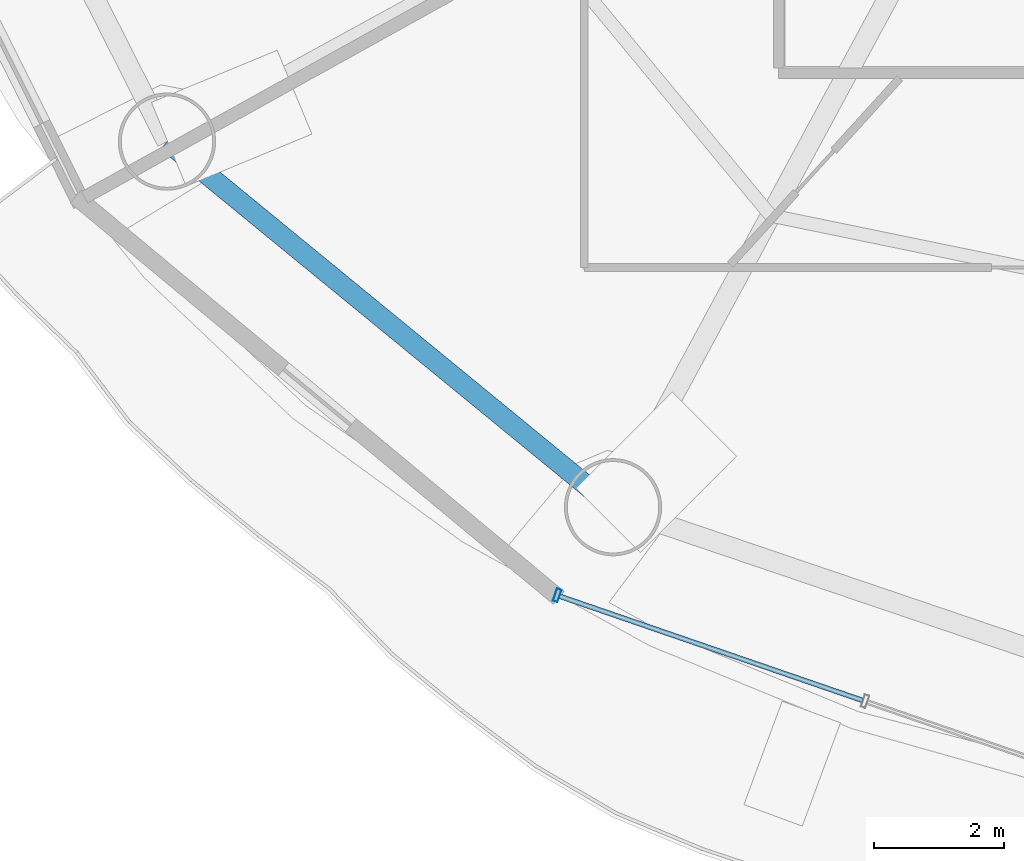
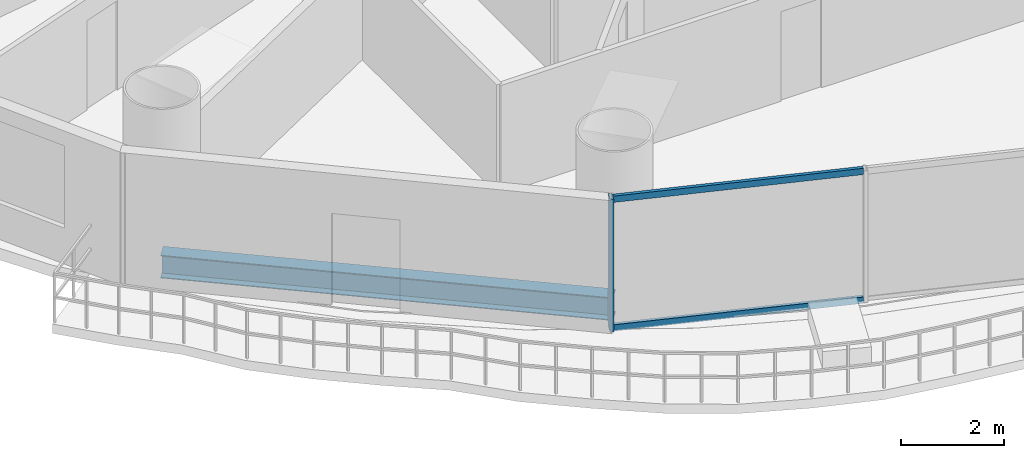
# One storey, part 2 of 29: 3 members, 1 beam, 1 element without a shape of its own.
"""IFC4 building model written with IfcOpenShell, lengths in metres."""

from ifc_helpers import new_model, si_unit, direction, frame, origin, origin_2d, place, context, subcontext, project, spatial, hollow_rectangle, i_section, extrude, source, transform, mapped, material, material_profile, profile_set, type_object, element, aggregate, save


model = new_model("IFC4")

# Units and contexts
model_context = context("Model", 3, precision=1e-05, world=origin(), true_north=direction((-0.2419218956, 0.970295726276)))
body_context = subcontext(model_context, "Body", "Model", "MODEL_VIEW")
ifc_project = project(units=[si_unit("LENGTHUNIT", "METRE"), si_unit("AREAUNIT", "SQUARE_METRE"), si_unit("VOLUMEUNIT", "CUBIC_METRE"), si_unit("PLANEANGLEUNIT", "RADIAN"), si_unit("MASSUNIT", "GRAM", prefix="KILO")], contexts=[model_context])

# Site, building, storey
site_placement = place(None, origin())
site = spatial("IfcSite", under=ifc_project, at=site_placement, CompositionType="ELEMENT")
building_placement = place(site_placement, origin())
building = spatial("IfcBuilding", under=site, at=building_placement, Name="Cobrevalo Terracotta Tower", CompositionType="ELEMENT")
storey_placement = place(building_placement, frame((0.0, 0.0, 126.60009765625)))
storey = spatial("IfcBuildingStorey", under=building, at=storey_placement, Name="L33", CompositionType="ELEMENT", Elevation=126.60009765625)

# Beam
ifc_material_1 = material(Name="Steel S355", Category="steel")
ifc_material_profile_1 = material_profile(ifc_material_1, i_section(OverallWidth=0.31201171875, OverallDepth=0.54296875, WebThickness=0.0126953125, FlangeThickness=0.020263671875, at=origin_2d()), Name="W 530x150")
ifc_profile_set_1 = profile_set([ifc_material_profile_1], Name="Steel S355")
beam_type = type_object("IfcBeamType", Name="Structural Spandrel W 530x150 (Steel S355)", PredefinedType="SPANDREL", material=ifc_profile_set_1)
beam_placement = place(storey_placement, frame((17.2548828125, 15.4384765625, -0.546630859375), z_axis=(0.773400923541, -0.633917196064, 0.0), x_axis=(0.633917196064, 0.773400923541, 0.0)))
element("IfcBeam", 1, at=beam_placement, inside=storey, type_object=beam_type, Name="L33 perimeter ring spandrel 10", PredefinedType="SPANDREL", context=body_context, shape_type="SweptSolid", body=[
    extrude(i_section(OverallWidth=0.31201171875, OverallDepth=0.54296875, WebThickness=0.0126953125, FlangeThickness=0.020263671875, at=origin_2d()), origin(), (0.0, 0.0, 1.0), 8.900390625),
])

# Curtain wall, members
ifc_material_2 = material(Name="Anodized aluminium", Category="aluminium")
curtain_wall_type = type_object("IfcCurtainWallType", Name="Lower-tower unitised acoustic low-E curtain wall CW-U1", PredefinedType="NOTDEFINED", material=ifc_material_2)
curtain_wall_placement = place(storey_placement, origin())
curtain_wall = element("IfcCurtainWall", 2, at=curtain_wall_placement, inside=storey, type_object=curtain_wall_type, Name="L33 curtain wall CW-L33-S11", PredefinedType="NOTDEFINED")
ifc_material_profile_2 = material_profile(ifc_material_2, hollow_rectangle(XDim=0.074951171875, YDim=0.199951171875, WallThickness=0.0048828125, at=origin_2d()), Name="CWM 75x200")
ifc_profile_set_2 = profile_set([ifc_material_profile_2], Name="Anodized aluminium")
member_type_1 = type_object("IfcMemberType", Name="Lower/mid tower unitised mullion 75x200", PredefinedType="MULLION", material=ifc_profile_set_2)
shared_shape_1 = source(origin(), body_context, "Body", "SweptSolid", [
    extrude(hollow_rectangle(XDim=0.074951171875, YDim=0.199951171875, WallThickness=0.0048828125, at=origin_2d()), origin(), (0.0, 0.0, 1.0), 3.14990234375),
])
member_1_placement = place(storey_placement, frame((23.2763671875, 8.4365234375, 0.0), z_axis=(0.0, 0.0, 1.0), x_axis=(0.94559809868, -0.325337110968, 0.0)))
member_1 = element("IfcMember", 3, at=member_1_placement, type_object=member_type_1, Name="CW-L33-S11 vertical mullion 01", PredefinedType="MULLION", context=body_context, shape_type="MappedRepresentation", body=[
    mapped(shared_shape_1, transform((0.0, 0.0, 0.0), scale=1.0)),
])
ifc_material_profile_3 = material_profile(ifc_material_2, hollow_rectangle(XDim=0.074951171875, YDim=0.14990234375, WallThickness=0.00439453125, at=origin_2d()), Name="CWT 75x150")
ifc_profile_set_3 = profile_set([ifc_material_profile_3], Name="Anodized aluminium")
member_type_2 = type_object("IfcMemberType", Name="Tower unitised aluminium transom 75x150", PredefinedType="USERDEFINED", material=ifc_profile_set_3)
shared_shape_2 = source(origin(), body_context, "Body", "SweptSolid", [
    extrude(hollow_rectangle(XDim=0.074951171875, YDim=0.14990234375, WallThickness=0.00439453125, at=origin_2d()), origin(), (0.0, 0.0, 1.0), 4.944580078125),
])
member_2_placement = place(storey_placement, frame((23.314208984375, 8.42333984375, 0.0498046875), z_axis=(0.945597859971, -0.32533780478, 0.0), x_axis=(0.32533780478, 0.945597859971, 0.0)))
member_2 = element("IfcMember", 4, at=member_2_placement, type_object=member_type_2, Name="CW-L33-S11 transom B01-T1", ObjectType="TRANSOM", PredefinedType="USERDEFINED", context=body_context, shape_type="MappedRepresentation", body=[
    mapped(shared_shape_2, transform((0.0, 0.0, 0.0), scale=1.0)),
])
member_3_placement = place(storey_placement, frame((23.314208984375, 8.42333984375, 3.099853515625), z_axis=(0.945597859971, -0.32533780478, 0.0), x_axis=(0.32533780478, 0.945597859971, 0.0)))
member_3 = element("IfcMember", 5, at=member_3_placement, type_object=member_type_2, Name="CW-L33-S11 transom B01-T2", ObjectType="TRANSOM", PredefinedType="USERDEFINED", context=body_context, shape_type="MappedRepresentation", body=[
    mapped(shared_shape_2, transform((0.0, 0.0, 0.0), scale=1.0)),
])
aggregate(curtain_wall, [member_1, member_2, member_3])

save(model, "model.ifc")
